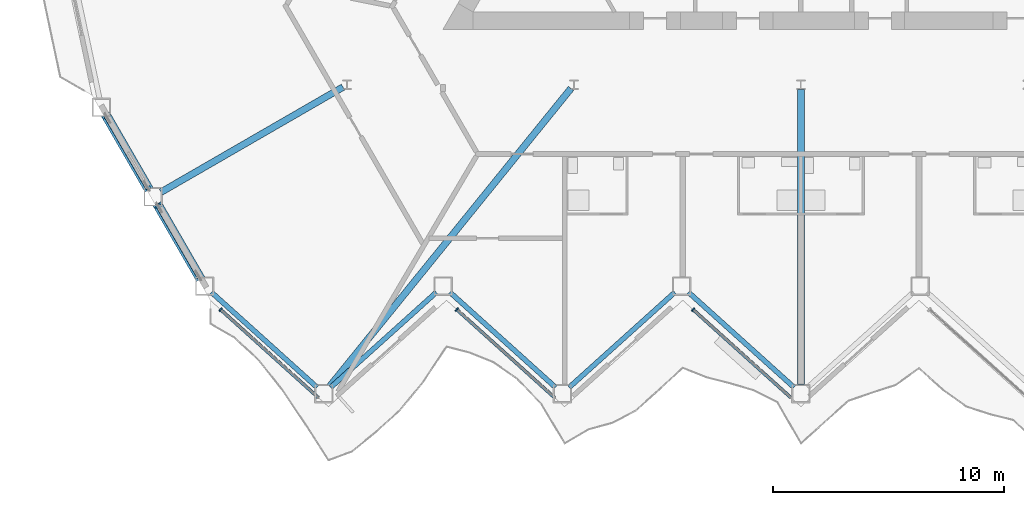
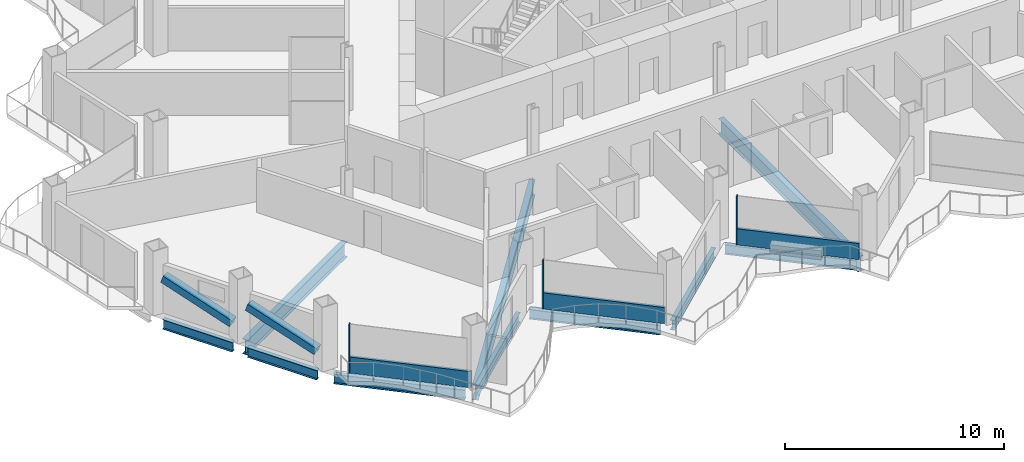
# One storey, part 3 of 23: 10 beams, 8 members, 3 elements without a shape of their own.
"""IFC4 building model written with IfcOpenShell, lengths in metres."""

from ifc_helpers import new_model, si_unit, direction, frame, origin, origin_2d, place, context, subcontext, project, spatial, rectangle, hollow_rectangle, i_section, extrude, material, layer, layer_set, material_profile, profile_set, type_object, element, aggregate, save


model = new_model("IFC4")

# Units and contexts
model_context = context("Model", 3, precision=1e-05, world=origin(), true_north=direction((0.0, 1.0)))
body_context = subcontext(model_context, "Body", "Model", "MODEL_VIEW")
ifc_project = project(units=[si_unit("LENGTHUNIT", "METRE"), si_unit("AREAUNIT", "SQUARE_METRE"), si_unit("VOLUMEUNIT", "CUBIC_METRE"), si_unit("PLANEANGLEUNIT", "RADIAN"), si_unit("MASSUNIT", "GRAM", prefix="KILO")], contexts=[model_context])

# Site, building, storey
site_placement = place(None, origin())
site = spatial("IfcSite", under=ifc_project, at=site_placement, CompositionType="ELEMENT")
building_placement = place(site_placement, origin())
building = spatial("IfcBuilding", under=site, at=building_placement, Name="Cormorant Prow Tower", CompositionType="ELEMENT")
storey_placement = place(building_placement, frame((0.0, 0.0, 172.800048828125)))
storey = spatial("IfcBuildingStorey", under=building, at=storey_placement, Name="L36", CompositionType="ELEMENT", Elevation=172.800048828125)

# Members
ifc_material_1 = material(Name="Structural steel ASTM A500 Gr C", Category="steel")
ifc_material_profile_1 = material_profile(ifc_material_1, hollow_rectangle(XDim=0.406494140625, YDim=0.406494140625, WallThickness=0.01171875, at=origin_2d()), Name="HSS16x16x1/2")
ifc_profile_set_1 = profile_set([ifc_material_profile_1], Name="Structural steel ASTM A500 Gr C")
member_type_1 = type_object("IfcMemberType", Name="Chamfer brace HSS16x16x1/2", PredefinedType="BRACE", material=ifc_profile_set_1)
member_1_placement = place(storey_placement, frame((-28.267333984375, -15.838623046875, 0.739990234375), z_axis=(-0.473992878603, 0.821006330213, 0.318244177926), x_axis=(-0.866032413668, -0.499987858329, 0.0)))
element("IfcMember", 1, at=member_1_placement, inside=storey, type_object=member_type_1, Name="Chamfer brace BR2 at WSW00 L36", PredefinedType="BRACE", context=body_context, shape_type="SweptSolid", body=[
    extrude(hollow_rectangle(XDim=0.406494140625, YDim=0.406494140625, WallThickness=0.01171875, at=origin_2d()), origin(), (0.0, 0.0, 1.0), 3.835693359375),
])
member_2_placement = place(storey_placement, frame((-26.0322265625, -19.7099609375, 0.739990234375), z_axis=(-0.474017648602, 0.820985582338, 0.318260808783), x_axis=(-0.866015628144, -0.500016931523, 0.0)))
element("IfcMember", 2, at=member_2_placement, inside=storey, type_object=member_type_1, Name="Chamfer brace BR2 at WSW01 L36", PredefinedType="BRACE", context=body_context, shape_type="SweptSolid", body=[
    extrude(hollow_rectangle(XDim=0.406494140625, YDim=0.406494140625, WallThickness=0.01171875, at=origin_2d()), origin(), (0.0, 0.0, 1.0), 3.83544921875),
])

# Curtain wall, member
ifc_material_2 = material(Name="Aluminium 6063-T6", Category="aluminium")
ifc_layer = layer(ifc_material_2, 0.179931640625)
ifc_layer_set = layer_set([ifc_layer], Name="Aluminium 6063-T6")
curtain_wall_type = type_object("IfcCurtainWallType", Name="Hotel unitised curtain wall 180", PredefinedType="NOTDEFINED", material=ifc_layer_set)
curtain_wall_1_placement = place(storey_placement, origin())
curtain_wall_1 = element("IfcCurtainWall", 3, at=curtain_wall_1_placement, inside=storey, type_object=curtain_wall_type, Name="Hotel curtain wall S00", PredefinedType="NOTDEFINED")
ifc_material_3 = material(Name="Aluminium 6063-T6", Category="aluminium")
ifc_material_profile_2 = material_profile(ifc_material_3, rectangle(XDim=0.179931640625, YDim=0.06005859375, at=origin_2d()), Name="Hotel mullion 60x180")
ifc_profile_set_2 = profile_set([ifc_material_profile_2], Name="Aluminium 6063-T6")
member_type_2 = type_object("IfcMemberType", Name="Hotel mullion 60x180", PredefinedType="MULLION", material=ifc_profile_set_2)
member_3_placement = place(storey_placement, frame((-25.134033203125, -21.08447265625, 0.0), z_axis=(0.0, 0.0, 1.0), x_axis=(0.669130488316, 0.743144931764, 0.0)))
member_3 = element("IfcMember", 4, at=member_3_placement, type_object=member_type_2, Name="Hotel mullion S00", PredefinedType="MULLION", context=body_context, shape_type="SweptSolid", body=[
    extrude(rectangle(XDim=0.179931640625, YDim=0.06005859375, at=origin_2d()), origin(), (0.0, 0.0, 1.0), 2.700927734375),
])

curtain_wall_2_placement = place(storey_placement, origin())
curtain_wall_2 = element("IfcCurtainWall", 5, at=curtain_wall_2_placement, inside=storey, type_object=curtain_wall_type, Name="Hotel curtain wall S02", PredefinedType="NOTDEFINED")
member_4_placement = place(storey_placement, frame((-14.90283203125, -21.08447265625, 0.0), z_axis=(0.0, 0.0, 1.0), x_axis=(0.669130560548, 0.743144866726, 0.0)))
member_4 = element("IfcMember", 6, at=member_4_placement, type_object=member_type_2, Name="Hotel mullion S02", PredefinedType="MULLION", context=body_context, shape_type="SweptSolid", body=[
    extrude(rectangle(XDim=0.179931640625, YDim=0.06005859375, at=origin_2d()), origin(), (0.0, 0.0, 1.0), 2.700927734375),
])

curtain_wall_3_placement = place(storey_placement, origin())
curtain_wall_3 = element("IfcCurtainWall", 7, at=curtain_wall_3_placement, inside=storey, type_object=curtain_wall_type, Name="Hotel curtain wall S04", PredefinedType="NOTDEFINED")
member_5_placement = place(storey_placement, frame((-4.67138671875, -21.08447265625, 0.0), z_axis=(0.0, 0.0, 1.0), x_axis=(0.669130560548, 0.743144866726, 0.0)))
member_5 = element("IfcMember", 8, at=member_5_placement, type_object=member_type_2, Name="Hotel mullion S04", PredefinedType="MULLION", context=body_context, shape_type="SweptSolid", body=[
    extrude(rectangle(XDim=0.179931640625, YDim=0.06005859375, at=origin_2d()), origin(), (0.0, 0.0, 1.0), 2.700927734375),
])

# Member
ifc_material_4 = material(Name="Terracotta", Category="masonry")
ifc_material_profile_3 = material_profile(ifc_material_4, rectangle(XDim=0.139892578125, YDim=0.89990234375, at=origin_2d()), Name="Hotel terracotta spandrel rail 140x900")
ifc_profile_set_3 = profile_set([ifc_material_profile_3], Name="Terracotta")
member_type_3 = type_object("IfcMemberType", Name="Hotel terracotta spandrel rail 140x900", PredefinedType="USERDEFINED", material=ifc_profile_set_3)
member_6_placement = place(storey_placement, frame((-25.11181640625, -21.1044921875, 0.449951171875), z_axis=(0.743138320107, -0.669137831234, 0.0), x_axis=(0.669137831234, 0.743138320107, 0.0)))
member_6 = element("IfcMember", 9, at=member_6_placement, type_object=member_type_3, Name="Hotel spandrel rail S00", ObjectType="TRANSOM", PredefinedType="USERDEFINED", context=body_context, shape_type="SweptSolid", body=[
    extrude(rectangle(XDim=0.139892578125, YDim=0.89990234375, at=origin_2d()), origin(), (0.0, 0.0, 1.0), 5.687744140625),
])

aggregate(curtain_wall_1, [member_3, member_6])

member_7_placement = place(storey_placement, frame((-14.88037109375, -21.1044921875, 0.449951171875), z_axis=(0.743138320107, -0.669137831234, 0.0), x_axis=(0.669137831234, 0.743138320107, 0.0)))
member_7 = element("IfcMember", 10, at=member_7_placement, type_object=member_type_3, Name="Hotel spandrel rail S02", ObjectType="TRANSOM", PredefinedType="USERDEFINED", context=body_context, shape_type="SweptSolid", body=[
    extrude(rectangle(XDim=0.139892578125, YDim=0.89990234375, at=origin_2d()), origin(), (0.0, 0.0, 1.0), 5.687744140625),
])

aggregate(curtain_wall_2, [member_4, member_7])

member_8_placement = place(storey_placement, frame((-4.64892578125, -21.1044921875, 0.449951171875), z_axis=(0.743138320107, -0.669137831234, 0.0), x_axis=(0.669137831234, 0.743138320107, 0.0)))
member_8 = element("IfcMember", 11, at=member_8_placement, type_object=member_type_3, Name="Hotel spandrel rail S04", ObjectType="TRANSOM", PredefinedType="USERDEFINED", context=body_context, shape_type="SweptSolid", body=[
    extrude(rectangle(XDim=0.139892578125, YDim=0.89990234375, at=origin_2d()), origin(), (0.0, 0.0, 1.0), 5.687744140625),
])

aggregate(curtain_wall_3, [member_5, member_8])

# Beams
ifc_material_5 = material(Name="Structural steel ASTM A992 Gr 50", Category="steel")
ifc_material_profile_4 = material_profile(ifc_material_5, i_section(OverallWidth=0.29296875, OverallDepth=0.845703125, WebThickness=0.015380859375, FlangeThickness=0.0244140625, at=origin_2d()), Name="W33x141")
ifc_profile_set_4 = profile_set([ifc_material_profile_4], Name="Structural steel ASTM A992 Gr 50")
beam_type_1 = type_object("IfcBeamType", Name="Radial floor beam W33x141", PredefinedType="BEAM", material=ifc_profile_set_4)
beam_1_placement = place(storey_placement, frame((-19.833251953125, -11.45068359375, -0.77294921875), z_axis=(-0.866023373109, -0.500003517217, 0.0), x_axis=(0.500003517217, -0.866023373109, 0.0)))
element("IfcBeam", 12, at=beam_1_placement, inside=storey, type_object=beam_type_1, Name="Radial floor beam FB2 5 L36", PredefinedType="BEAM", context=body_context, shape_type="SweptSolid", body=[
    extrude(i_section(OverallWidth=0.29296875, OverallDepth=0.845703125, WebThickness=0.015380859375, FlangeThickness=0.0244140625, at=origin_2d()), origin(), (0.0, 0.0, 1.0), 9.09814453125),
])
beam_2_placement = place(storey_placement, frame((-9.95654296875, -11.50732421875, -0.77294921875), z_axis=(-0.629385162657, -0.777093505974, 0.0), x_axis=(0.777093505974, -0.629385162657, 0.0)))
element("IfcBeam", 13, at=beam_2_placement, inside=storey, type_object=beam_type_1, Name="Radial floor beam FB2 6 L36", PredefinedType="BEAM", context=body_context, shape_type="SweptSolid", body=[
    extrude(i_section(OverallWidth=0.29296875, OverallDepth=0.845703125, WebThickness=0.015380859375, FlangeThickness=0.0244140625, at=origin_2d()), origin(), (0.0, 0.0, 1.0), 16.6044921875),
])
beam_3_placement = place(storey_placement, frame((0.0, -11.552734375, -0.77294921875), z_axis=(0.0, -1.0, 0.0), x_axis=(1.0, 0.0, 0.0)))
element("IfcBeam", 14, at=beam_3_placement, inside=storey, type_object=beam_type_1, Name="Radial floor beam FB2 7 L36", PredefinedType="BEAM", context=body_context, shape_type="SweptSolid", body=[
    extrude(i_section(OverallWidth=0.29296875, OverallDepth=0.845703125, WebThickness=0.015380859375, FlangeThickness=0.0244140625, at=origin_2d()), origin(), (0.0, 0.0, 1.0), 12.768798828125),
])
ifc_material_6 = material(Name="Structural steel ASTM A992 Gr 50", Category="steel")
ifc_material_profile_5 = material_profile(ifc_material_6, i_section(OverallWidth=0.2138671875, OverallDepth=0.549072265625, WebThickness=0.0146484375, FlangeThickness=0.023681640625, at=origin_2d()), Name="W21x93")
ifc_profile_set_5 = profile_set([ifc_material_profile_5], Name="Structural steel ASTM A992 Gr 50")
beam_type_2 = type_object("IfcBeamType", Name="Spandrel beam W21x93", PredefinedType="SPANDREL", material=ifc_profile_set_5)
beam_4_placement = place(storey_placement, frame((-25.5263671875, -20.3388671875, -0.62451171875), z_axis=(0.743155953285, -0.669118247469, 0.0), x_axis=(0.669118247469, 0.743155953285, 0.0)))
element("IfcBeam", 15, at=beam_4_placement, inside=storey, type_object=beam_type_2, Name="Spandrel beam SB2 S00-S01 L36", PredefinedType="SPANDREL", context=body_context, shape_type="SweptSolid", body=[
    extrude(i_section(OverallWidth=0.2138671875, OverallDepth=0.549072265625, WebThickness=0.0146484375, FlangeThickness=0.023681640625, at=origin_2d()), origin(), (0.0, 0.0, 1.0), 6.14990234375),
])
for number, where, z_axis, x_axis, name in (
    (16, (-20.361572265625, -24.453857421875, -0.62451171875), (0.743138178716, 0.669137988261, 0.0), (-0.669137988261, 0.743138178716, 0.0), "Spandrel beam SB2 S01-S02 L36"),
    (17, (-15.19677734375, -20.3388671875, -0.62451171875), (0.743138178716, -0.669137988261, 0.0), (0.669137988261, 0.743138178716, 0.0), "Spandrel beam SB2 S02-S03 L36"),
):
    element("IfcBeam", number, at=place(storey_placement, frame(where, z_axis=z_axis, x_axis=x_axis)), inside=storey, type_object=beam_type_2, Name=name, PredefinedType="SPANDREL", context=body_context, shape_type="SweptSolid", body=[
        extrude(i_section(OverallWidth=0.2138671875, OverallDepth=0.549072265625, WebThickness=0.0146484375, FlangeThickness=0.023681640625, at=origin_2d()), origin(), (0.0, 0.0, 1.0), 6.149658203125),
    ])
beam_5_placement = place(storey_placement, frame((-10.0322265625, -24.453857421875, -0.62451171875), z_axis=(0.743155953285, 0.669118247469, 0.0), x_axis=(-0.669118247469, 0.743155953285, 0.0)))
element("IfcBeam", 18, at=beam_5_placement, inside=storey, type_object=beam_type_2, Name="Spandrel beam SB2 S03-S04 L36", PredefinedType="SPANDREL", context=body_context, shape_type="SweptSolid", body=[
    extrude(i_section(OverallWidth=0.2138671875, OverallDepth=0.549072265625, WebThickness=0.0146484375, FlangeThickness=0.023681640625, at=origin_2d()), origin(), (0.0, 0.0, 1.0), 6.14990234375),
])
beam_6_placement = place(storey_placement, frame((-4.867431640625, -20.3388671875, -0.62451171875), z_axis=(0.743138178716, -0.669137988261, 0.0), x_axis=(0.669137988261, 0.743138178716, 0.0)))
element("IfcBeam", 19, at=beam_6_placement, inside=storey, type_object=beam_type_2, Name="Spandrel beam SB2 S04-S05 L36", PredefinedType="SPANDREL", context=body_context, shape_type="SweptSolid", body=[
    extrude(i_section(OverallWidth=0.2138671875, OverallDepth=0.549072265625, WebThickness=0.0146484375, FlangeThickness=0.023681640625, at=origin_2d()), origin(), (0.0, 0.0, 1.0), 6.149658203125),
])
for number, where, z_axis, x_axis, name in (
    (20, (-30.093994140625, -12.674560546875, -0.62451171875), (0.499994986164, -0.866028298505, 0.0), (0.866028298505, 0.499994986164, 0.0), "Spandrel beam SB2 WSW00-WSW01 L36"),
    (21, (-27.85888671875, -16.546142578125, -0.62451171875), (0.499994986164, -0.866028298505, 0.0), (0.866028298505, 0.499994986164, 0.0), "Spandrel beam SB2 WSW01-S00 L36"),
):
    element("IfcBeam", number, at=place(storey_placement, frame(where, z_axis=z_axis, x_axis=x_axis)), inside=storey, type_object=beam_type_2, Name=name, PredefinedType="SPANDREL", context=body_context, shape_type="SweptSolid", body=[
        extrude(i_section(OverallWidth=0.2138671875, OverallDepth=0.549072265625, WebThickness=0.0146484375, FlangeThickness=0.023681640625, at=origin_2d()), origin(), (0.0, 0.0, 1.0), 3.67041015625),
    ])

save(model, "model.ifc")
